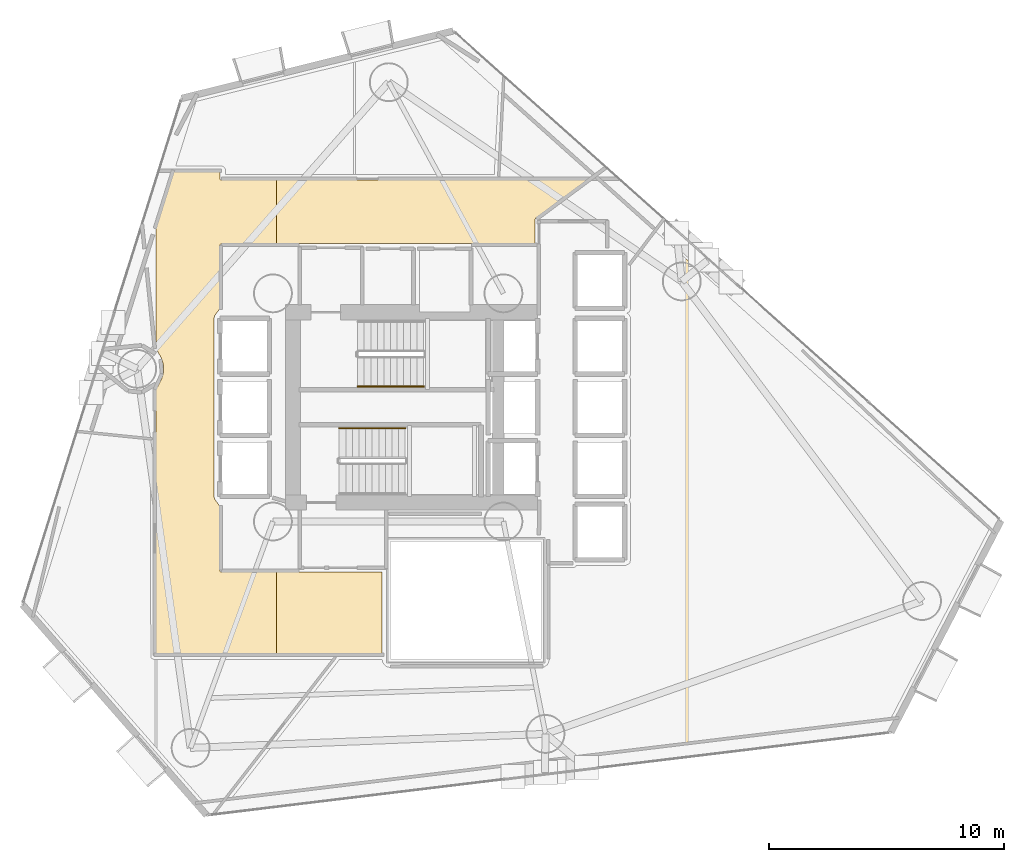
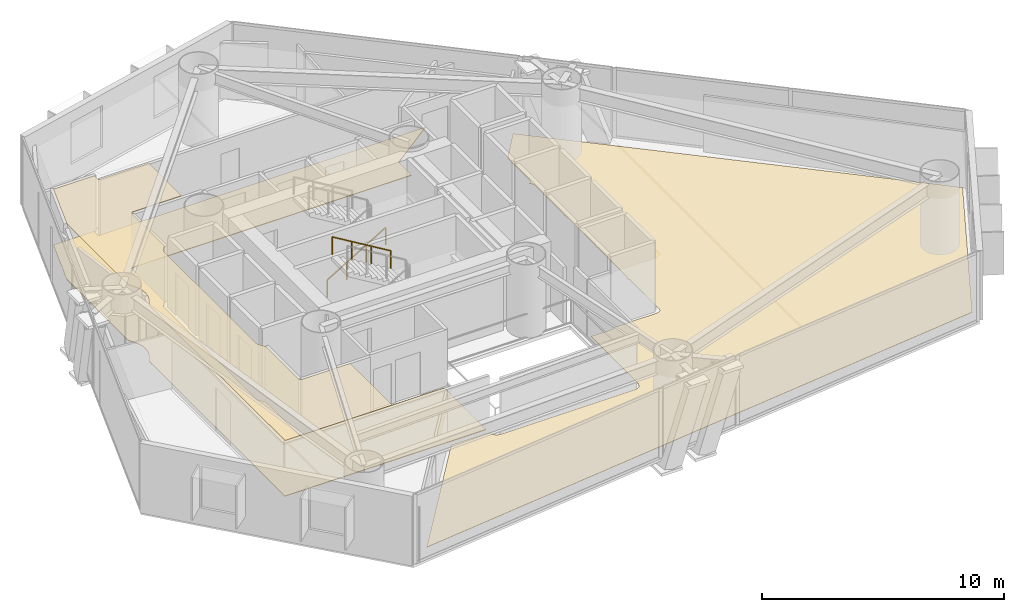
# One storey, part 22 of 24: 3 coverings, 2 railings.
"""IFC4 building model written with IfcOpenShell, lengths in metres."""

from ifc_helpers import new_model, si_unit, direction, frame, origin, origin_2d, place, context, subcontext, project, spatial, polyline, rectangle, outline, extrude, material, layer, layer_set, type_object, element, save


model = new_model("IFC4")

# Units and contexts
model_context = context("Model", 3, precision=1e-05, world=origin(), true_north=direction((0.0, 1.0)))
body_context = subcontext(model_context, "Body", "Model", "MODEL_VIEW")
ifc_project = project(units=[si_unit("LENGTHUNIT", "METRE"), si_unit("AREAUNIT", "SQUARE_METRE"), si_unit("VOLUMEUNIT", "CUBIC_METRE"), si_unit("PLANEANGLEUNIT", "RADIAN"), si_unit("MASSUNIT", "GRAM", prefix="KILO")], contexts=[model_context])

# Site, building, storey
site_placement = place(None, origin())
site = spatial("IfcSite", under=ifc_project, at=site_placement, CompositionType="ELEMENT")
building_placement = place(site_placement, origin())
building = spatial("IfcBuilding", under=site, at=building_placement, Name="Qianvela Tower", CompositionType="ELEMENT")
storey_placement = place(building_placement, frame((0.0, 0.0, 71.0)))
storey = spatial("IfcBuildingStorey", under=building, at=storey_placement, Name="L17", CompositionType="ELEMENT", Elevation=71.0)

# Coverings
ifc_material_1 = material(Name="Perforated Mineral Acoustic Ceiling Tile")
ifc_layer_1 = layer(ifc_material_1, 0.02490234375)
ifc_layer_set_1 = layer_set([ifc_layer_1], Name="Perforated Mineral Acoustic Ceiling Tile")
covering_type_1 = type_object("IfcCoveringType", Name="COV-CEIL-ACOUSTIC-25", PredefinedType="CEILING", material=ifc_layer_set_1)
covering_1_placement = place(storey_placement, frame((0.0, 0.0, 2.81494140625)))
element("IfcCovering", 1, at=covering_1_placement, inside=storey, type_object=covering_type_1, Name="L17 Acoustic Ceiling Bay 1 L17 Floor Corridor", PredefinedType="CEILING", context=body_context, shape_type="SweptSolid", body=[
    extrude(outline(polyline([(23.868408203125, 30.7705078125), (23.864990234375, 30.777587890625), (23.6298828125, 31.21728515625), (23.6298828125, 36.3017578125), (24.3896484375, 38.719970703125), (26.340087890625, 38.719970703125), (26.340087890625, 38.449951171875), (26.34033203125, 38.442138671875), (26.341552734375, 38.434326171875), (26.343505859375, 38.4267578125), (26.34619140625, 38.41943359375), (26.349365234375, 38.412353515625), (26.353515625, 38.405517578125), (26.358154296875, 38.399169921875), (26.36328125, 38.393310546875), (26.369140625, 38.38818359375), (26.37548828125, 38.383544921875), (26.38232421875, 38.37939453125), (26.389404296875, 38.376220703125), (26.396728515625, 38.373291015625), (26.404296875, 38.37158203125), (26.412109375, 38.370361328125), (26.419921875, 38.3701171875), (28.747802734375, 38.3701171875), (28.747802734375, 35.659912109375), (26.419921875, 35.659912109375), (26.412109375, 35.65966796875), (26.404296875, 35.658447265625), (26.396728515625, 35.656494140625), (26.389404296875, 35.65380859375), (26.38232421875, 35.650634765625), (26.37548828125, 35.646484375), (26.369140625, 35.641845703125), (26.36328125, 35.63671875), (26.358154296875, 35.630859375), (26.353515625, 35.62451171875), (26.349365234375, 35.61767578125), (26.34619140625, 35.610595703125), (26.343505859375, 35.603271484375), (26.341552734375, 35.595703125), (26.34033203125, 35.587890625), (26.340087890625, 35.580078125), (26.340087890625, 32.89599609375), (26.139404296875, 32.62548828125), (26.135498046875, 32.61962890625), (26.132080078125, 32.61376953125), (26.12939453125, 32.607421875), (26.126953125, 32.60107421875), (26.103515625, 32.523193359375), (26.1015625, 32.515625), (26.100341796875, 32.5078125), (26.10009765625, 32.5), (26.10009765625, 24.89990234375), (26.100341796875, 24.89208984375), (26.1015625, 24.884521484375), (26.103515625, 24.876708984375), (26.126953125, 24.799072265625), (26.12939453125, 24.79248046875), (26.132080078125, 24.786376953125), (26.135498046875, 24.7802734375), (26.139404296875, 24.774658203125), (26.340087890625, 24.50390625), (26.340087890625, 21.780029296875), (26.34033203125, 21.772216796875), (26.341552734375, 21.764404296875), (26.343505859375, 21.7568359375), (26.34619140625, 21.74951171875), (26.349365234375, 21.7421875), (26.353515625, 21.735595703125), (26.358154296875, 21.729248046875), (26.36328125, 21.723388671875), (26.369140625, 21.71826171875), (26.37548828125, 21.71337890625), (26.38232421875, 21.70947265625), (26.389404296875, 21.7060546875), (26.396728515625, 21.703369140625), (26.404296875, 21.701416015625), (26.412109375, 21.700439453125), (26.419921875, 21.699951171875), (28.747802734375, 21.699951171875), (28.747802734375, 18.22998046875), (23.6298828125, 18.22998046875), (23.6298828125, 29.462646484375), (23.864990234375, 29.90234375), (23.868408203125, 29.909423828125), (23.87109375, 29.9169921875), (23.930419921875, 30.11279296875), (23.932373046875, 30.12060546875), (23.93359375, 30.12841796875), (23.95361328125, 30.332275390625), (23.9541015625, 30.340087890625), (23.95361328125, 30.347900390625), (23.93359375, 30.5517578125), (23.932373046875, 30.5595703125), (23.930419921875, 30.567138671875), (23.87109375, 30.76318359375), (23.868408203125, 30.7705078125)])), origin(), (0.0, 0.0, 1.0), 0.025146484375),
])
ifc_material_2 = material(Name="Engineered Acoustic Oak Timber Flooring", Category="wood")
ifc_layer_2 = layer(ifc_material_2, 0.02001953125)
ifc_layer_set_2 = layer_set([ifc_layer_2], Name="Engineered Acoustic Oak Timber Flooring")
covering_type_2 = type_object("IfcCoveringType", Name="COV-FLOOR-OAK-20", PredefinedType="FLOORING", material=ifc_layer_set_2)
covering_2_placement = place(storey_placement, origin())
element("IfcCovering", 2, at=covering_2_placement, inside=storey, type_object=covering_type_2, Name="L17 Finish Flooring Tutorial Breakout Seminar L17-02", PredefinedType="FLOORING", context=body_context, shape_type="SweptSolid", body=[
    extrude(outline(polyline([(33.24609375, 17.989990234375), (33.252197265625, 17.912353515625), (33.25341796875, 17.904296875), (33.25537109375, 17.896240234375), (33.258056640625, 17.888427734375), (33.261474609375, 17.881103515625), (33.31298828125, 17.78466796875), (33.31689453125, 17.77783203125), (33.32177734375, 17.771484375), (33.326904296875, 17.765869140625), (33.332763671875, 17.760498046875), (33.417236328125, 17.691162109375), (33.42431640625, 17.68603515625), (33.431884765625, 17.681640625), (33.440185546875, 17.677978515625), (33.448486328125, 17.675537109375), (33.58056640625, 17.642333984375), (33.5869140625, 17.64111328125), (33.593505859375, 17.640380859375), (33.60009765625, 17.639892578125), (40.081298828125, 17.652099609375), (40.089111328125, 17.652587890625), (40.096923828125, 17.653564453125), (40.1044921875, 17.655517578125), (40.11181640625, 17.658203125), (40.118896484375, 17.66162109375), (40.125732421875, 17.66552734375), (40.260986328125, 17.755859375), (40.267578125, 17.760986328125), (40.27392578125, 17.7666015625), (40.279541015625, 17.773193359375), (40.284423828125, 17.780029296875), (40.28857421875, 17.78759765625), (40.291748046875, 17.79541015625), (40.355224609375, 17.972900390625), (40.357421875, 17.9794921875), (40.35888671875, 17.986328125), (40.359619140625, 17.9931640625), (40.360107421875, 18.0), (40.360107421875, 21.889892578125), (41.367919921875, 21.890380859375), (41.375732421875, 21.890869140625), (41.383544921875, 21.891845703125), (41.39111328125, 21.893798828125), (41.3984375, 21.896484375), (41.405517578125, 21.89990234375), (41.45947265625, 21.9287109375), (41.46630859375, 21.932861328125), (41.472900390625, 21.9375), (41.478759765625, 21.943115234375), (41.48388671875, 21.948974609375), (41.48876953125, 21.955322265625), (41.492919921875, 21.96240234375), (41.49609375, 21.969482421875), (41.498779296875, 21.97705078125), (41.49951171875, 21.97998046875), (43.580078125, 21.97998046875), (43.587890625, 21.98046875), (43.595703125, 21.9814453125), (43.603271484375, 21.9833984375), (43.610595703125, 21.986083984375), (43.61767578125, 21.989501953125), (43.734130859375, 22.0517578125), (43.740966796875, 22.0556640625), (43.747314453125, 22.060302734375), (43.7529296875, 22.065673828125), (43.75830078125, 22.071533203125), (43.762939453125, 22.077880859375), (43.76708984375, 22.08447265625), (43.770263671875, 22.091552734375), (43.77294921875, 22.09912109375), (43.796630859375, 22.1767578125), (43.798583984375, 22.184326171875), (43.799560546875, 22.192138671875), (43.800048828125, 22.199951171875), (43.800048828125, 24.60009765625), (43.7998046875, 24.60693359375), (43.798828125, 24.61376953125), (43.79736328125, 24.620361328125), (43.79541015625, 24.626953125), (43.763427734375, 24.7158203125), (43.760498046875, 24.722900390625), (43.7568359375, 24.72998046875), (43.75244140625, 24.736572265625), (43.74755859375, 24.742431640625), (43.741943359375, 24.748046875), (43.73583984375, 24.753173828125), (43.735107421875, 24.753662109375), (43.7783203125, 24.811767578125), (43.782958984375, 24.81884765625), (43.786865234375, 24.826416015625), (43.789794921875, 24.834228515625), (43.7919921875, 24.84228515625), (43.79345703125, 24.8505859375), (43.7939453125, 24.859130859375), (43.800048828125, 27.2998046875), (43.799560546875, 27.307861328125), (43.79833984375, 27.315673828125), (43.79638671875, 27.323486328125), (43.793701171875, 27.3310546875), (43.7646484375, 27.39990234375), (43.793701171875, 27.468994140625), (43.79638671875, 27.476318359375), (43.79833984375, 27.484130859375), (43.799560546875, 27.491943359375), (43.800048828125, 27.5), (43.800048828125, 29.89990234375), (43.799560546875, 29.907958984375), (43.79833984375, 29.915771484375), (43.79638671875, 29.923583984375), (43.793701171875, 29.93115234375), (43.7646484375, 30.0), (43.793701171875, 30.06884765625), (43.79638671875, 30.076416015625), (43.79833984375, 30.084228515625), (43.799560546875, 30.092041015625), (43.800048828125, 30.10009765625), (43.79736328125, 32.52734375), (43.796875, 32.535888671875), (43.79541015625, 32.54443359375), (43.793212890625, 32.552734375), (43.7900390625, 32.560791015625), (43.785888671875, 32.568359375), (43.7373046875, 32.6494140625), (43.732666015625, 32.656494140625), (43.727294921875, 32.662841796875), (43.72119140625, 32.668701171875), (43.71435546875, 32.674072265625), (43.70703125, 32.678466796875), (43.699462890625, 32.68212890625), (43.645751953125, 32.704345703125), (43.734130859375, 32.751708984375), (43.740966796875, 32.755615234375), (43.747314453125, 32.760498046875), (43.7529296875, 32.765625), (43.75830078125, 32.771484375), (43.762939453125, 32.77783203125), (43.76708984375, 32.784423828125), (43.770263671875, 32.79150390625), (43.77294921875, 32.799072265625), (43.796630859375, 32.876708984375), (43.798583984375, 32.884521484375), (43.799560546875, 32.89208984375), (43.800048828125, 32.89990234375), (43.800048828125, 34.74658203125), (44.87841796875, 36.174072265625), (59.046875, 23.509033203125), (54.8916015625, 15.514404296875), (26.868896484375, 12.11669921875), (31.431640625, 17.989990234375), (33.24609375, 17.989990234375)])), origin(), (0.0, 0.0, 1.0), 0.02001953125),
])
ifc_material_3 = material(Name="Honed Stone Terrazzo Flooring", Category="masonry")
ifc_layer_3 = layer(ifc_material_3, 0.030029296875)
ifc_layer_set_3 = layer_set([ifc_layer_3], Name="Honed Stone Terrazzo Flooring")
covering_type_3 = type_object("IfcCoveringType", Name="COV-FLOOR-TERRAZZO-30", PredefinedType="FLOORING", material=ifc_layer_set_3)
covering_3_placement = place(storey_placement, origin())
element("IfcCovering", 3, at=covering_3_placement, inside=storey, type_object=covering_type_3, Name="L17 Finish Flooring L17 Floor Corridor", PredefinedType="FLOORING", context=body_context, shape_type="SweptSolid", body=[
    extrude(outline(polyline([(23.87109375, 30.76318359375), (23.868408203125, 30.7705078125), (23.864990234375, 30.777587890625), (23.6298828125, 31.21728515625), (23.6298828125, 36.3017578125), (24.3896484375, 38.719970703125), (26.340087890625, 38.719970703125), (26.340087890625, 38.449951171875), (26.34033203125, 38.442138671875), (26.341552734375, 38.434326171875), (26.343505859375, 38.4267578125), (26.34619140625, 38.41943359375), (26.349365234375, 38.412353515625), (26.353515625, 38.405517578125), (26.358154296875, 38.399169921875), (26.36328125, 38.393310546875), (26.369140625, 38.38818359375), (26.37548828125, 38.383544921875), (26.38232421875, 38.37939453125), (26.389404296875, 38.376220703125), (26.396728515625, 38.373291015625), (26.404296875, 38.37158203125), (26.412109375, 38.370361328125), (26.419921875, 38.3701171875), (41.961181640625, 38.3701171875), (39.784423828125, 36.753662109375), (39.778076171875, 36.748291015625), (39.772216796875, 36.742431640625), (39.76708984375, 36.736083984375), (39.7626953125, 36.729248046875), (39.759033203125, 36.721923828125), (39.756103515625, 36.71435546875), (39.75390625, 36.70654296875), (39.752685546875, 36.698486328125), (39.752197265625, 36.690185546875), (39.739013671875, 35.659912109375), (26.419921875, 35.659912109375), (26.412109375, 35.65966796875), (26.404296875, 35.658447265625), (26.396728515625, 35.656494140625), (26.389404296875, 35.65380859375), (26.38232421875, 35.650634765625), (26.37548828125, 35.646484375), (26.369140625, 35.641845703125), (26.36328125, 35.63671875), (26.358154296875, 35.630859375), (26.353515625, 35.62451171875), (26.349365234375, 35.61767578125), (26.34619140625, 35.610595703125), (26.343505859375, 35.603271484375), (26.341552734375, 35.595703125), (26.34033203125, 35.587890625), (26.340087890625, 35.580078125), (26.340087890625, 32.89599609375), (26.139404296875, 32.62548828125), (26.135498046875, 32.61962890625), (26.132080078125, 32.61376953125), (26.12939453125, 32.607421875), (26.126953125, 32.60107421875), (26.103515625, 32.523193359375), (26.1015625, 32.515625), (26.100341796875, 32.5078125), (26.10009765625, 32.5), (26.10009765625, 24.89990234375), (26.100341796875, 24.89208984375), (26.1015625, 24.884521484375), (26.103515625, 24.876708984375), (26.126953125, 24.799072265625), (26.12939453125, 24.79248046875), (26.132080078125, 24.786376953125), (26.135498046875, 24.7802734375), (26.139404296875, 24.774658203125), (26.340087890625, 24.50390625), (26.340087890625, 21.780029296875), (26.34033203125, 21.772216796875), (26.341552734375, 21.764404296875), (26.343505859375, 21.7568359375), (26.34619140625, 21.74951171875), (26.349365234375, 21.7421875), (26.353515625, 21.735595703125), (26.358154296875, 21.729248046875), (26.36328125, 21.723388671875), (26.369140625, 21.71826171875), (26.37548828125, 21.71337890625), (26.38232421875, 21.70947265625), (26.389404296875, 21.7060546875), (26.396728515625, 21.703369140625), (26.404296875, 21.701416015625), (26.412109375, 21.700439453125), (26.419921875, 21.699951171875), (33.239990234375, 21.699951171875), (33.239990234375, 18.22998046875), (23.6298828125, 18.22998046875), (23.6298828125, 29.462646484375), (23.864990234375, 29.90234375), (23.868408203125, 29.909423828125), (23.87109375, 29.9169921875), (23.930419921875, 30.11279296875), (23.932373046875, 30.12060546875), (23.93359375, 30.12841796875), (23.95361328125, 30.332275390625), (23.9541015625, 30.340087890625), (23.95361328125, 30.347900390625), (23.93359375, 30.5517578125), (23.932373046875, 30.5595703125), (23.930419921875, 30.567138671875), (23.87109375, 30.76318359375)])), origin(), (0.0, 0.0, 1.0), 0.030029296875),
])

# Railings
ifc_material_4 = material(Name="Brushed Stainless Steel 304", Category="steel")
railing_type = type_object("IfcRailingType", Name="RL-STAIR-HANDRAIL-900", PredefinedType="HANDRAIL", material=ifc_material_4)
railing_1_placement = place(storey_placement, frame((32.199951171875, 29.590087890625, 0.168212890625)))
element("IfcRailing", 4, at=railing_1_placement, inside=storey, type_object=railing_type, Name="L17 ST-1 stair handrail 1", PredefinedType="HANDRAIL", context=body_context, shape_type="SweptSolid", body=[
    extrude(rectangle(XDim=0.050048828125, YDim=0.0400390625, at=origin_2d()), frame((0.0, 0.0, 0.8798828125), z_axis=(0.857242210791, 0.0, 0.514913383045), x_axis=(0.0, 1.0, 0.0)), (0.0, 0.0, 1.0), 3.266357421875),
    extrude(rectangle(XDim=0.050048828125, YDim=0.050048828125, at=origin_2d()), origin(), (0.0, 0.0, 1.0), 0.85986328125),
    extrude(rectangle(XDim=0.050048828125, YDim=0.050048828125, at=origin_2d()), frame((0.933349609375, 0.0, 0.560546875)), (0.0, 0.0, 1.0), 0.85986328125),
    extrude(rectangle(XDim=0.050048828125, YDim=0.050048828125, at=origin_2d()), frame((1.86669921875, 0.0, 1.121337890625)), (0.0, 0.0, 1.0), 0.85986328125),
    extrude(rectangle(XDim=0.050048828125, YDim=0.050048828125, at=origin_2d()), frame((2.800048828125, 0.0, 1.681884765625)), (0.0, 0.0, 1.0), 0.85986328125),
])
railing_2_placement = place(storey_placement, frame((34.219970703125, 27.81005859375, 2.01806640625)))
element("IfcRailing", 5, at=railing_2_placement, inside=storey, type_object=railing_type, Name="L17 ST-2 stair handrail 2", PredefinedType="HANDRAIL", context=body_context, shape_type="SweptSolid", body=[
    extrude(rectangle(XDim=0.050048828125, YDim=0.0400390625, at=origin_2d()), frame((0.0, 0.0, 0.8798828125), z_axis=(-0.857242210791, 0.0, 0.514913383045), x_axis=(0.0, -1.0, 0.0)), (0.0, 0.0, 1.0), 3.266357421875),
    extrude(rectangle(XDim=0.050048828125, YDim=0.050048828125, at=origin_2d()), origin(), (0.0, 0.0, 1.0), 0.85986328125),
    extrude(rectangle(XDim=0.050048828125, YDim=0.050048828125, at=origin_2d()), frame((-0.933349609375, 0.0, 0.560546875)), (0.0, 0.0, 1.0), 0.85986328125),
    extrude(rectangle(XDim=0.050048828125, YDim=0.050048828125, at=origin_2d()), frame((-1.86669921875, 0.0, 1.121337890625)), (0.0, 0.0, 1.0), 0.85986328125),
    extrude(rectangle(XDim=0.050048828125, YDim=0.050048828125, at=origin_2d()), frame((-2.800048828125, 0.0, 1.681884765625)), (0.0, 0.0, 1.0), 0.85986328125),
])

save(model, "model.ifc")
